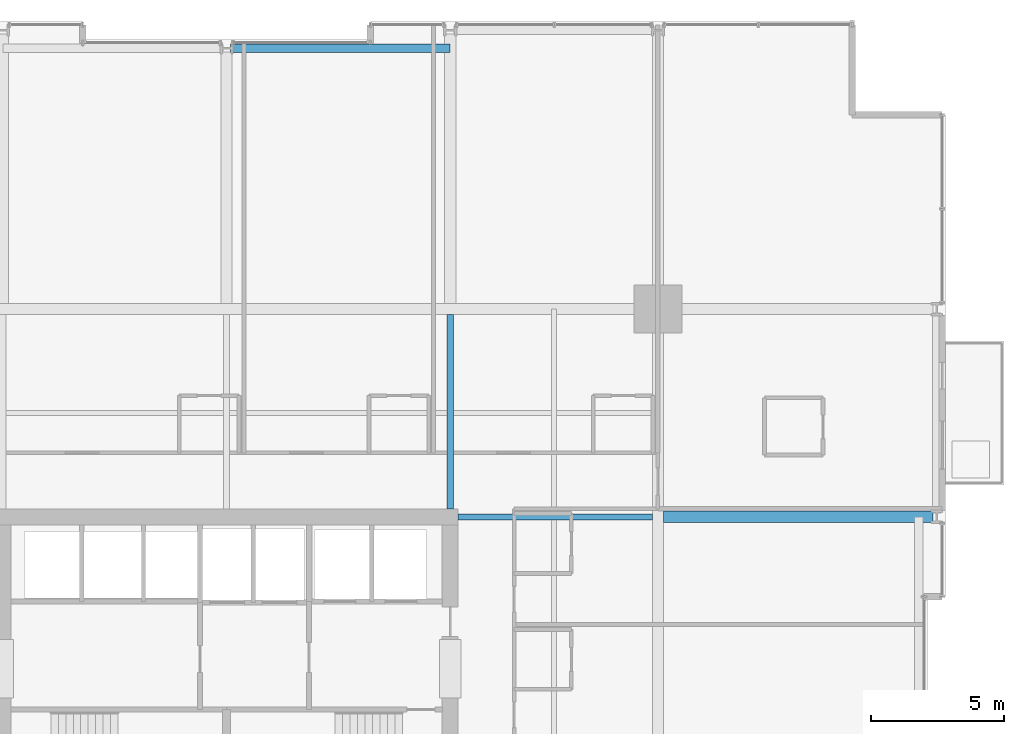
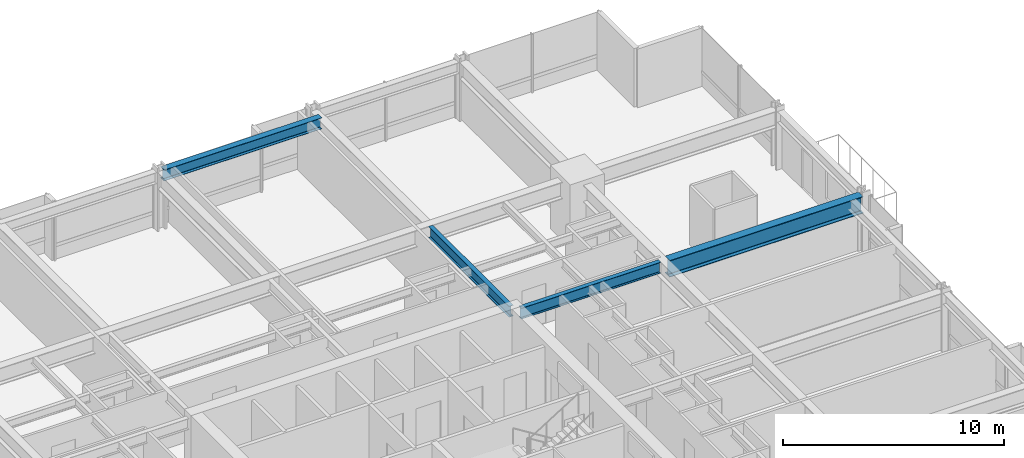
# One storey, part 24 of 38: 4 beams.
"""IFC4 building model written with IfcOpenShell, lengths in metres."""

from ifc_helpers import new_model, si_unit, direction, frame, origin, origin_2d, place, context, subcontext, project, spatial, i_section, extrude, material, material_profile, profile_set, type_object, element, save


model = new_model("IFC4")

# Units and contexts
model_context = context("Model", 3, precision=1e-05, world=origin(), true_north=direction((0.0, 1.0)))
body_context = subcontext(model_context, "Body", "Model", "MODEL_VIEW")
ifc_project = project(units=[si_unit("LENGTHUNIT", "METRE"), si_unit("AREAUNIT", "SQUARE_METRE"), si_unit("VOLUMEUNIT", "CUBIC_METRE"), si_unit("PLANEANGLEUNIT", "RADIAN"), si_unit("MASSUNIT", "GRAM", prefix="KILO")], contexts=[model_context])

# Site, building, storey
site_placement = place(None, origin())
site = spatial("IfcSite", under=ifc_project, at=site_placement, CompositionType="ELEMENT")
building_placement = place(site_placement, origin())
building = spatial("IfcBuilding", under=site, at=building_placement, Name="Drelvath Grand Hotel", CompositionType="ELEMENT")
storey_placement = place(building_placement, frame((0.0, 0.0, 47.199951171875)))
storey = spatial("IfcBuildingStorey", under=building, at=storey_placement, Name="L10", CompositionType="ELEMENT", Elevation=47.199951171875)

# Beams
ifc_material = material(Name="Steel ASTM A992 Gr 50", Category="steel")
ifc_material_profile_1 = material_profile(ifc_material, i_section(OverallWidth=0.323974609375, OverallDepth=0.611083984375, WebThickness=0.0126953125, FlangeThickness=0.01904296875, FilletRadius=0.02197265625, at=origin_2d()), Name="W24X104")
ifc_profile_set_1 = profile_set([ifc_material_profile_1], Name="Steel ASTM A992 Gr 50")
beam_type_1 = type_object("IfcBeamType", Name="Perimeter Spandrel Beam W24X104", PredefinedType="SPANDREL", material=ifc_profile_set_1)
beam_1_placement = place(storey_placement, frame((0.139892578125, 53.0, 2.9345703125), z_axis=(1.0, 0.0, 0.0), x_axis=(0.0, 1.0, 0.0)))
element("IfcBeam", 1, at=beam_1_placement, inside=storey, type_object=beam_type_1, Name="L10 Spandrel North Mid E", PredefinedType="SPANDREL", context=body_context, shape_type="SweptSolid", body=[
    extrude(i_section(OverallWidth=0.323974609375, OverallDepth=0.611083984375, WebThickness=0.0126953125, FlangeThickness=0.01904296875, FilletRadius=0.02197265625, at=origin_2d()), origin(), (0.0, 0.0, 1.0), 8.260009765625),
])
ifc_material_profile_2 = material_profile(ifc_material, i_section(OverallWidth=0.228271484375, OverallDepth=0.607666015625, WebThickness=0.01123046875, FlangeThickness=0.017333984375, FilletRadius=0.02001953125, at=origin_2d()), Name="W24X76")
ifc_profile_set_2 = profile_set([ifc_material_profile_2], Name="Steel ASTM A992 Gr 50")
beam_type_2 = type_object("IfcBeamType", Name="Primary Floor Girder W24X76", PredefinedType="BEAM", material=ifc_profile_set_2)
for number, where, z_axis, x_axis, name in (
    (2, (8.699951171875, 35.39990234375, 2.936279296875), (1.0, 0.0, 0.0), (0.0, 1.0, 0.0), "L10 East Core Tie F"),
    (3, (8.39990234375, 35.699951171875, 2.936279296875), (0.0, 1.0, 0.0), (-1.0, 0.0, 0.0), "L10 North Core Tie 6"),
):
    element("IfcBeam", number, at=place(storey_placement, frame(where, z_axis=z_axis, x_axis=x_axis)), inside=storey, type_object=beam_type_2, Name=name, PredefinedType="BEAM", context=body_context, shape_type="SweptSolid", body=[
        extrude(i_section(OverallWidth=0.228271484375, OverallDepth=0.607666015625, WebThickness=0.01123046875, FlangeThickness=0.017333984375, FilletRadius=0.02001953125, at=origin_2d()), origin(), (0.0, 0.0, 1.0), 7.290771484375),
    ])
ifc_material_profile_3 = material_profile(ifc_material, i_section(OverallWidth=0.418212890625, OverallDepth=0.926513671875, WebThickness=0.019287109375, FlangeThickness=0.031982421875, FilletRadius=0.028076171875, at=origin_2d()), Name="W36X231")
ifc_profile_set_3 = profile_set([ifc_material_profile_3], Name="Steel ASTM A992 Gr 50")
beam_type_3 = type_object("IfcBeamType", Name="Primary Floor Girder W36X231", PredefinedType="BEAM", material=ifc_profile_set_3)
beam_2_placement = place(storey_placement, frame((16.4091796875, 35.39990234375, 2.77685546875), z_axis=(1.0, 0.0, 0.0), x_axis=(0.0, 1.0, 0.0)))
element("IfcBeam", 4, at=beam_2_placement, inside=storey, type_object=beam_type_3, Name="L10 East Wing Girder F", PredefinedType="BEAM", context=body_context, shape_type="SweptSolid", body=[
    extrude(i_section(OverallWidth=0.418212890625, OverallDepth=0.926513671875, WebThickness=0.019287109375, FlangeThickness=0.031982421875, FilletRadius=0.028076171875, at=origin_2d()), origin(), (0.0, 0.0, 1.0), 10.130859375),
])

save(model, "model.ifc")
